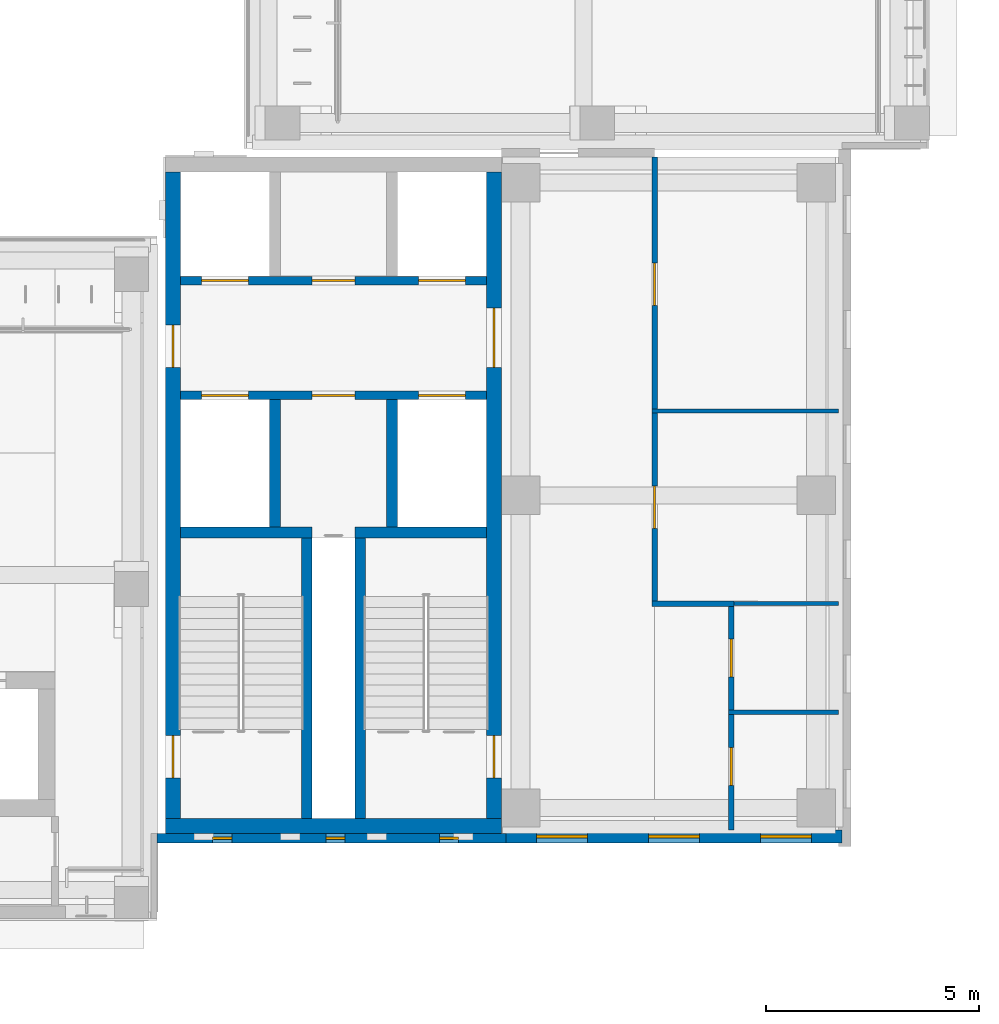
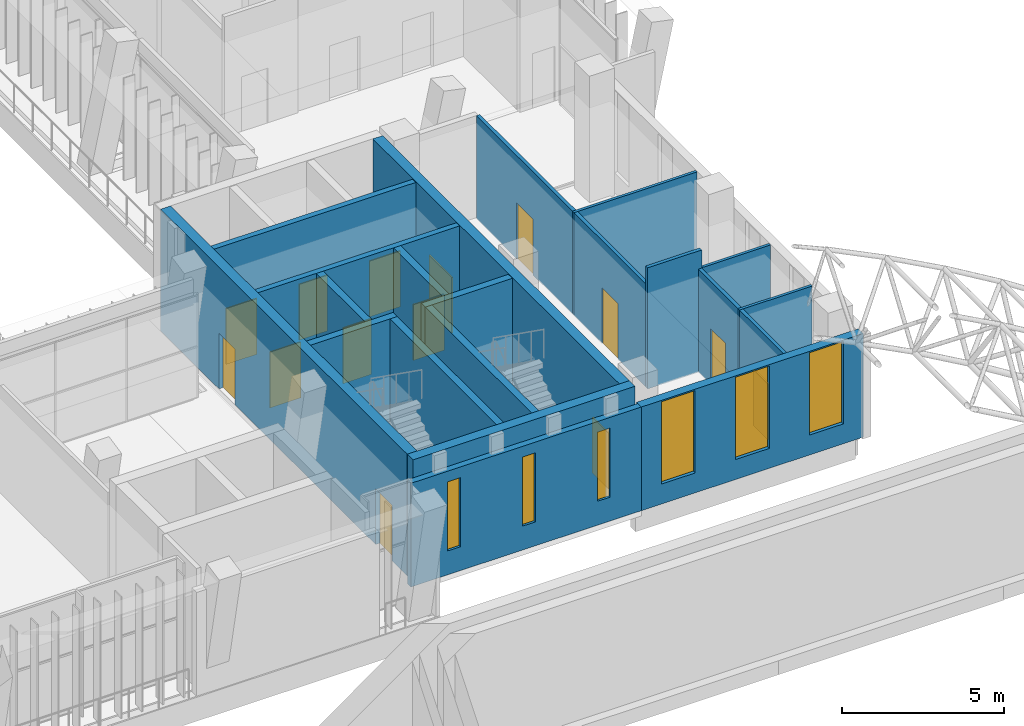
# One storey, part 107 of 141: 19 walls, 14 doors, 6 windows, 20 openings.
"""IFC4 building model written with IfcOpenShell, lengths in metres."""

from ifc_helpers import new_model, si_unit, direction, frame, frame_2d, origin, place, context, subcontext, project, spatial, rectangle, extrude, material, layer, layer_set, type_object, element, fill, save


model = new_model("IFC4")

# Units and contexts
model_context = context("Model", 3, precision=1e-05, world=origin(), true_north=direction((0.0, 1.0)))
body_context = subcontext(model_context, "Body", "Model", "MODEL_VIEW")
ifc_project = project(units=[si_unit("LENGTHUNIT", "METRE"), si_unit("AREAUNIT", "SQUARE_METRE"), si_unit("VOLUMEUNIT", "CUBIC_METRE"), si_unit("PLANEANGLEUNIT", "RADIAN"), si_unit("MASSUNIT", "GRAM", prefix="KILO")], contexts=[model_context])

# Site, building, storey
site_placement = place(None, origin())
site = spatial("IfcSite", under=ifc_project, at=site_placement, CompositionType="ELEMENT")
building_placement = place(site_placement, origin())
building = spatial("IfcBuilding", under=site, at=building_placement, Name="Lantern Court Media Centre", CompositionType="ELEMENT")
storey_placement = place(building_placement, frame((0.0, 0.0, 9.60009765625)))
storey = spatial("IfcBuildingStorey", under=building, at=storey_placement, Name="L02", CompositionType="ELEMENT", Elevation=9.60009765625)

# Wall, openings, doors
ifc_material_1 = material(Name="Gypsum board partition")
ifc_layer_1 = layer(ifc_material_1, 0.125)
ifc_layer_set_1 = layer_set([ifc_layer_1], Name="Gypsum board partition")
wall_type_1 = type_object("IfcWallType", Name="Corridor partition 125", PredefinedType="PARTITIONING", material=ifc_layer_set_1)
wall_1_placement = place(storey_placement, frame((91.60009765625, 53.466552734375, 0.0), z_axis=(0.0, 0.0, 1.0), x_axis=(0.0, 1.0, 0.0)))
wall_1 = element("IfcWall", 1, at=wall_1_placement, inside=storey, type_object=wall_type_1, Name="L02 partition 044", PredefinedType="PARTITIONING", context=body_context, shape_type="SweptSolid", body=[
    extrude(rectangle(XDim=10.433349609375, YDim=0.125, at=frame_2d((5.216796875, 0.0))), origin(), (0.0, 0.0, 1.0), 3.8798828125),
])
opening_1_placement = place(wall_1_placement, frame((1.701416015625, 0.0, 0.0)))
opening_1 = element("IfcOpeningElement", 2, at=opening_1_placement, cuts=wall_1, Name="Opening L02-035", PredefinedType="OPENING", context=body_context, shape_type="SweptSolid", body=[
    extrude(rectangle(XDim=1.0, YDim=2.10009765625, at=frame_2d((0.5, 1.050048828125))), frame((0.0, 0.072509765625, 0.0), z_axis=(0.0, -1.0, 0.0), x_axis=(1.0, 0.0, 0.0)), (0.0, 0.0, 1.0), 0.14501953125),
])
opening_2_placement = place(wall_1_placement, frame((6.949462890625, 0.0, 0.0)))
opening_2 = element("IfcOpeningElement", 3, at=opening_2_placement, cuts=wall_1, Name="Opening L02-036", PredefinedType="OPENING", context=body_context, shape_type="SweptSolid", body=[
    extrude(rectangle(XDim=1.0, YDim=2.10009765625, at=frame_2d((0.5, 1.050048828125))), frame((0.0, 0.072509765625, 0.0), z_axis=(0.0, -1.0, 0.0), x_axis=(1.0, 0.0, 0.0)), (0.0, 0.0, 1.0), 0.14501953125),
])
ifc_material_2 = material(Name="Solid-core timber door leaf", Category="wood")
door_type_1 = type_object("IfcDoorType", Name="Single door 1000x2100", OperationType="NOTDEFINED", PredefinedType="DOOR", material=ifc_material_2)
door_1_placement = place(opening_1_placement, frame((1.0, 0.0, 0.0), z_axis=(0.0, 0.0, 1.0), x_axis=(-1.0, 0.0, 0.0)))
door_1 = element("IfcDoor", 4, at=door_1_placement, inside=storey, type_object=door_type_1, Name="L02 Community Room 06 door", OperationType="SINGLE_SWING_RIGHT", OverallHeight=2.10009765625, OverallWidth=1.0, PredefinedType="DOOR", context=body_context, shape_type="SweptSolid", body=[
    extrude(rectangle(XDim=1.0, YDim=2.10009765625, at=frame_2d((0.5, 1.050048828125))), frame((0.0, 0.02490234375, 0.0), z_axis=(0.0, -1.0, 0.0), x_axis=(1.0, 0.0, 0.0)), (0.0, 0.0, 1.0), 0.050048828125),
])
fill(opening_1, door_1)
door_2_placement = place(opening_2_placement, frame((1.0, 0.0, 0.0), z_axis=(0.0, 0.0, 1.0), x_axis=(-1.0, 0.0, 0.0)))
door_2 = element("IfcDoor", 5, at=door_2_placement, inside=storey, type_object=door_type_1, Name="L02 Media Library Reading Room 07 door", OperationType="SINGLE_SWING_LEFT", OverallHeight=2.10009765625, OverallWidth=1.0, PredefinedType="DOOR", context=body_context, shape_type="SweptSolid", body=[
    extrude(rectangle(XDim=1.0, YDim=2.10009765625, at=frame_2d((0.5, 1.050048828125))), frame((0.0, 0.02490234375, 0.0), z_axis=(0.0, -1.0, 0.0), x_axis=(1.0, 0.0, 0.0)), (0.0, 0.0, 1.0), 0.050048828125),
])
fill(opening_2, door_2)

# Wall
wall_2_placement = place(storey_placement, frame((91.53759765625, 53.404052734375, 0.0), z_axis=(0.0, 0.0, 1.0), x_axis=(1.0, 0.0, 0.0)))
element("IfcWall", 6, at=wall_2_placement, inside=storey, type_object=wall_type_1, Name="L02 partition 046", PredefinedType="PARTITIONING", context=body_context, shape_type="SweptSolid", body=[
    extrude(rectangle(XDim=1.9248046875, YDim=0.125, at=frame_2d((0.96240234375, 0.0))), origin(), (0.0, 0.0, 1.0), 4.559814453125),
])

# Wall, openings, doors
wall_3_placement = place(storey_placement, frame((93.39990234375, 48.080078125, 0.0), z_axis=(0.0, 0.0, 1.0), x_axis=(0.0, 1.0, 0.0)))
wall_3 = element("IfcWall", 7, at=wall_3_placement, inside=storey, type_object=wall_type_1, Name="L02 partition 049", PredefinedType="PARTITIONING", context=body_context, shape_type="SweptSolid", body=[
    extrude(rectangle(XDim=5.261474609375, YDim=0.125, at=frame_2d((2.630859375, 0.0))), origin(), (0.0, 0.0, 1.0), 3.8798828125),
])
opening_3_placement = place(wall_3_placement, frame((1.0458984375, 0.0, 0.0)))
opening_3 = element("IfcOpeningElement", 8, at=opening_3_placement, cuts=wall_3, Name="Opening L02-037", PredefinedType="OPENING", context=body_context, shape_type="SweptSolid", body=[
    extrude(rectangle(XDim=0.89990234375, YDim=2.10009765625, at=frame_2d((0.449951171875, 1.050048828125))), frame((0.0, 0.072509765625, 0.0), z_axis=(0.0, -1.0, 0.0), x_axis=(1.0, 0.0, 0.0)), (0.0, 0.0, 1.0), 0.14501953125),
])
opening_4_placement = place(wall_3_placement, frame((3.597900390625, 0.0, 0.0)))
opening_4 = element("IfcOpeningElement", 9, at=opening_4_placement, cuts=wall_3, Name="Opening L02-038", PredefinedType="OPENING", context=body_context, shape_type="SweptSolid", body=[
    extrude(rectangle(XDim=0.89990234375, YDim=2.10009765625, at=frame_2d((0.449951171875, 1.050048828125))), frame((0.0, 0.072509765625, 0.0), z_axis=(0.0, -1.0, 0.0), x_axis=(1.0, 0.0, 0.0)), (0.0, 0.0, 1.0), 0.14501953125),
])
door_type_2 = type_object("IfcDoorType", Name="Single door 900x2100", OperationType="NOTDEFINED", PredefinedType="DOOR", material=ifc_material_2)
door_3_placement = place(opening_3_placement, frame((0.89990234375, 0.0, 0.0), z_axis=(0.0, 0.0, 1.0), x_axis=(-1.0, 0.0, 0.0)))
door_3 = element("IfcDoor", 10, at=door_3_placement, inside=storey, type_object=door_type_2, Name="L02 WC Male door", OperationType="SINGLE_SWING_RIGHT", OverallHeight=2.10009765625, OverallWidth=0.89990234375, PredefinedType="DOOR", context=body_context, shape_type="SweptSolid", body=[
    extrude(rectangle(XDim=0.89990234375, YDim=2.10009765625, at=frame_2d((0.449951171875, 1.050048828125))), frame((0.0, 0.02490234375, 0.0), z_axis=(0.0, -1.0, 0.0), x_axis=(1.0, 0.0, 0.0)), (0.0, 0.0, 1.0), 0.050048828125),
])
fill(opening_3, door_3)
door_4_placement = place(opening_4_placement, frame((0.89990234375, 0.0, 0.0), z_axis=(0.0, 0.0, 1.0), x_axis=(-1.0, 0.0, 0.0)))
door_4 = element("IfcDoor", 11, at=door_4_placement, inside=storey, type_object=door_type_2, Name="L02 WC Female door", OperationType="SINGLE_SWING_LEFT", OverallHeight=2.10009765625, OverallWidth=0.89990234375, PredefinedType="DOOR", context=body_context, shape_type="SweptSolid", body=[
    extrude(rectangle(XDim=0.89990234375, YDim=2.10009765625, at=frame_2d((0.449951171875, 1.050048828125))), frame((0.0, 0.02490234375, 0.0), z_axis=(0.0, -1.0, 0.0), x_axis=(1.0, 0.0, 0.0)), (0.0, 0.0, 1.0), 0.050048828125),
])
fill(opening_4, door_4)

ifc_material_3 = material(Name="Concrete C40", Category="concrete")
ifc_layer_2 = layer(ifc_material_3, 0.199951171875)
ifc_layer_set_2 = layer_set([ifc_layer_2], Name="Concrete C40")
wall_type_2 = type_object("IfcWallType", Name="Fire lobby wall 200", PredefinedType="SOLIDWALL", material=ifc_layer_set_2)
wall_4_placement = place(storey_placement, frame((87.64990234375, 58.300048828125, 0.0), z_axis=(0.0, 0.0, 1.0), x_axis=(-1.0, 0.0, 0.0)))
wall_4 = element("IfcWall", 12, at=wall_4_placement, inside=storey, type_object=wall_type_2, Name="L02 SE FW1", PredefinedType="SOLIDWALL", context=body_context, shape_type="SweptSolid", body=[
    extrude(rectangle(XDim=7.199951171875, YDim=0.199951171875, at=frame_2d((3.60009765625, 0.0))), origin(), (0.0, 0.0, 1.0), 4.5498046875),
])
opening_5_placement = place(wall_4_placement, frame((0.5, 0.0, 0.0)))
opening_5 = element("IfcOpeningElement", 13, at=opening_5_placement, cuts=wall_4, Name="Opening LD-SEFF-L02", PredefinedType="OPENING", context=body_context, shape_type="SweptSolid", body=[
    extrude(rectangle(XDim=1.10009765625, YDim=2.10009765625, at=frame_2d((0.550048828125, 1.050048828125))), frame((0.0, 0.10986328125, 0.0), z_axis=(0.0, -1.0, 0.0), x_axis=(1.0, 0.0, 0.0)), (0.0, 0.0, 1.0), 0.219970703125),
])
opening_6_placement = place(wall_4_placement, frame((5.60009765625, 0.0, 0.0)))
opening_6 = element("IfcOpeningElement", 14, at=opening_6_placement, cuts=wall_4, Name="Opening LD-SEP1-L02", PredefinedType="OPENING", context=body_context, shape_type="SweptSolid", body=[
    extrude(rectangle(XDim=1.10009765625, YDim=2.10009765625, at=frame_2d((0.550048828125, 1.050048828125))), frame((0.0, 0.10986328125, 0.0), z_axis=(0.0, -1.0, 0.0), x_axis=(1.0, 0.0, 0.0)), (0.0, 0.0, 1.0), 0.219970703125),
])
opening_7_placement = place(wall_4_placement, frame((3.10009765625, 0.0, 0.0)))
opening_7 = element("IfcOpeningElement", 15, at=opening_7_placement, cuts=wall_4, Name="Opening SE-L02-03", PredefinedType="OPENING", context=body_context, shape_type="SweptSolid", body=[
    extrude(rectangle(XDim=1.0, YDim=2.10009765625, at=frame_2d((0.5, 1.050048828125))), frame((0.0, 0.10986328125, 0.0), z_axis=(0.0, -1.0, 0.0), x_axis=(1.0, 0.0, 0.0)), (0.0, 0.0, 1.0), 0.219970703125),
])
ifc_material_4 = material(Name="Steel door leaf", Category="steel")
door_type_3 = type_object("IfcDoorType", Name="Lift landing door 1100x2100", OperationType="DOUBLE_DOOR_SLIDING", PredefinedType="DOOR", material=ifc_material_4)
door_5_placement = place(opening_5_placement, frame((1.10009765625, 0.0, 0.0), z_axis=(0.0, 0.0, 1.0), x_axis=(-1.0, 0.0, 0.0)))
door_5 = element("IfcDoor", 16, at=door_5_placement, inside=storey, type_object=door_type_3, Name="L02 SE lift FF landing door", OperationType="DOUBLE_DOOR_SLIDING", OverallHeight=2.10009765625, OverallWidth=1.10009765625, PredefinedType="DOOR", context=body_context, shape_type="SweptSolid", body=[
    extrude(rectangle(XDim=1.10009765625, YDim=2.10009765625, at=frame_2d((0.550048828125, 1.050048828125))), frame((0.0, 0.02490234375, 0.0), z_axis=(0.0, -1.0, 0.0), x_axis=(1.0, 0.0, 0.0)), (0.0, 0.0, 1.0), 0.050048828125),
])
fill(opening_5, door_5)
door_6_placement = place(opening_6_placement, frame((1.10009765625, 0.0, 0.0), z_axis=(0.0, 0.0, 1.0), x_axis=(-1.0, 0.0, 0.0)))
door_6 = element("IfcDoor", 17, at=door_6_placement, inside=storey, type_object=door_type_3, Name="L02 SE lift P1 landing door", OperationType="DOUBLE_DOOR_SLIDING", OverallHeight=2.10009765625, OverallWidth=1.10009765625, PredefinedType="DOOR", context=body_context, shape_type="SweptSolid", body=[
    extrude(rectangle(XDim=1.10009765625, YDim=2.10009765625, at=frame_2d((0.550048828125, 1.050048828125))), frame((0.0, 0.02490234375, 0.0), z_axis=(0.0, -1.0, 0.0), x_axis=(1.0, 0.0, 0.0)), (0.0, 0.0, 1.0), 0.050048828125),
])
fill(opening_6, door_6)
door_type_4 = type_object("IfcDoorType", Name="Service door 1000x2100", OperationType="NOTDEFINED", PredefinedType="DOOR", material=ifc_material_4)
door_7_placement = place(opening_7_placement, frame((1.0, 0.0, 0.0), z_axis=(0.0, 0.0, 1.0), x_axis=(-1.0, 0.0, 0.0)))
door_7 = element("IfcDoor", 18, at=door_7_placement, inside=storey, type_object=door_type_4, Name="L02 SE services riser door", OperationType="SINGLE_SWING_LEFT", OverallHeight=2.10009765625, OverallWidth=1.0, PredefinedType="DOOR", context=body_context, shape_type="SweptSolid", body=[
    extrude(rectangle(XDim=1.0, YDim=2.10009765625, at=frame_2d((0.5, 1.050048828125))), frame((0.0, 0.02490234375, 0.0), z_axis=(0.0, -1.0, 0.0), x_axis=(1.0, 0.0, 0.0)), (0.0, 0.0, 1.0), 0.050048828125),
])
fill(opening_7, door_7)

wall_5_placement = place(storey_placement, frame((87.64990234375, 61.0, 0.0), z_axis=(0.0, 0.0, 1.0), x_axis=(-1.0, 0.0, 0.0)))
wall_5 = element("IfcWall", 19, at=wall_5_placement, inside=storey, type_object=wall_type_2, Name="L02 SE FW2", PredefinedType="SOLIDWALL", context=body_context, shape_type="SweptSolid", body=[
    extrude(rectangle(XDim=7.199951171875, YDim=0.199951171875, at=frame_2d((3.60009765625, 0.0))), origin(), (0.0, 0.0, 1.0), 4.5498046875),
])
opening_8_placement = place(wall_5_placement, frame((0.5, 0.0, 0.0)))
opening_8 = element("IfcOpeningElement", 20, at=opening_8_placement, cuts=wall_5, Name="Opening LD-SEP2-L02", PredefinedType="OPENING", context=body_context, shape_type="SweptSolid", body=[
    extrude(rectangle(XDim=1.10009765625, YDim=2.10009765625, at=frame_2d((0.550048828125, 1.050048828125))), frame((0.0, 0.10986328125, 0.0), z_axis=(0.0, -1.0, 0.0), x_axis=(1.0, 0.0, 0.0)), (0.0, 0.0, 1.0), 0.219970703125),
])
opening_9_placement = place(wall_5_placement, frame((5.60009765625, 0.0, 0.0)))
opening_9 = element("IfcOpeningElement", 21, at=opening_9_placement, cuts=wall_5, Name="Opening LD-SEP3-L02", PredefinedType="OPENING", context=body_context, shape_type="SweptSolid", body=[
    extrude(rectangle(XDim=1.10009765625, YDim=2.10009765625, at=frame_2d((0.550048828125, 1.050048828125))), frame((0.0, 0.10986328125, 0.0), z_axis=(0.0, -1.0, 0.0), x_axis=(1.0, 0.0, 0.0)), (0.0, 0.0, 1.0), 0.219970703125),
])
opening_10_placement = place(wall_5_placement, frame((3.10009765625, 0.0, 0.0)))
opening_10 = element("IfcOpeningElement", 22, at=opening_10_placement, cuts=wall_5, Name="Opening SE-L02-04", PredefinedType="OPENING", context=body_context, shape_type="SweptSolid", body=[
    extrude(rectangle(XDim=1.0, YDim=2.10009765625, at=frame_2d((0.5, 1.050048828125))), frame((0.0, 0.10986328125, 0.0), z_axis=(0.0, -1.0, 0.0), x_axis=(1.0, 0.0, 0.0)), (0.0, 0.0, 1.0), 0.219970703125),
])
door_8_placement = place(opening_8_placement, origin())
door_8 = element("IfcDoor", 23, at=door_8_placement, inside=storey, type_object=door_type_3, Name="L02 SE lift P2 landing door", OperationType="DOUBLE_DOOR_SLIDING", OverallHeight=2.10009765625, OverallWidth=1.10009765625, PredefinedType="DOOR", context=body_context, shape_type="SweptSolid", body=[
    extrude(rectangle(XDim=1.10009765625, YDim=2.10009765625, at=frame_2d((0.550048828125, 1.050048828125))), frame((0.0, 0.02490234375, 0.0), z_axis=(0.0, -1.0, 0.0), x_axis=(1.0, 0.0, 0.0)), (0.0, 0.0, 1.0), 0.050048828125),
])
fill(opening_8, door_8)
door_9_placement = place(opening_9_placement, origin())
door_9 = element("IfcDoor", 24, at=door_9_placement, inside=storey, type_object=door_type_3, Name="L02 SE lift P3 landing door", OperationType="DOUBLE_DOOR_SLIDING", OverallHeight=2.10009765625, OverallWidth=1.10009765625, PredefinedType="DOOR", context=body_context, shape_type="SweptSolid", body=[
    extrude(rectangle(XDim=1.10009765625, YDim=2.10009765625, at=frame_2d((0.550048828125, 1.050048828125))), frame((0.0, 0.02490234375, 0.0), z_axis=(0.0, -1.0, 0.0), x_axis=(1.0, 0.0, 0.0)), (0.0, 0.0, 1.0), 0.050048828125),
])
fill(opening_9, door_9)
door_10_placement = place(opening_10_placement, origin())
door_10 = element("IfcDoor", 25, at=door_10_placement, inside=storey, type_object=door_type_4, Name="L02 SE accessible WC door", OperationType="SINGLE_SWING_RIGHT", OverallHeight=2.10009765625, OverallWidth=1.0, PredefinedType="DOOR", context=body_context, shape_type="SweptSolid", body=[
    extrude(rectangle(XDim=1.0, YDim=2.10009765625, at=frame_2d((0.5, 1.050048828125))), frame((0.0, 0.02490234375, 0.0), z_axis=(0.0, -1.0, 0.0), x_axis=(1.0, 0.0, 0.0)), (0.0, 0.0, 1.0), 0.050048828125),
])
fill(opening_10, door_10)

# Wall, openings, windows
ifc_material_5 = material(Name="Honed limestone cladding on blockwork", Category="masonry")
ifc_layer_3 = layer(ifc_material_5, 0.300048828125)
ifc_layer_set_3 = layer_set([ifc_layer_3], Name="Honed limestone cladding on blockwork")
wall_type_3 = type_object("IfcWallType", Name="Limestone block wall 300", PredefinedType="SOLIDWALL", material=ifc_layer_set_3)
wall_6_placement = place(storey_placement, frame((88.10009765625, 47.929931640625, 0.0), z_axis=(0.0, 0.0, 1.0), x_axis=(1.0, 0.0, 0.0)))
wall_6 = element("IfcWall", 26, at=wall_6_placement, inside=storey, type_object=wall_type_3, Name="Limestone wall SE S L02", PredefinedType="SOLIDWALL", context=body_context, shape_type="SweptSolid", body=[
    extrude(rectangle(XDim=7.89990234375, YDim=0.300048828125, at=frame_2d((3.949951171875, 0.0))), origin(), (0.0, 0.0, 1.0), 3.89990234375),
])
opening_11_placement = place(wall_6_placement, frame((0.716552734375, 0.0, 0.75)))
opening_11 = element("IfcOpeningElement", 27, at=opening_11_placement, cuts=wall_6, Name="Opening WN-T", PredefinedType="OPENING", context=body_context, shape_type="SweptSolid", body=[
    extrude(rectangle(XDim=1.199951171875, YDim=3.10009765625, at=frame_2d((0.60009765625, 1.550048828125))), frame((0.0, 0.159912109375, 0.0), z_axis=(0.0, -1.0, 0.0), x_axis=(1.0, 0.0, 0.0)), (0.0, 0.0, 1.0), 0.320068359375),
])
opening_12_placement = place(wall_6_placement, frame((3.35009765625, 0.0, 0.75)))
opening_12 = element("IfcOpeningElement", 28, at=opening_12_placement, cuts=wall_6, Name="Opening WN-T", PredefinedType="OPENING", context=body_context, shape_type="SweptSolid", body=[
    extrude(rectangle(XDim=1.199951171875, YDim=3.10009765625, at=frame_2d((0.60009765625, 1.550048828125))), frame((0.0, 0.159912109375, 0.0), z_axis=(0.0, -1.0, 0.0), x_axis=(1.0, 0.0, 0.0)), (0.0, 0.0, 1.0), 0.320068359375),
])
opening_13_placement = place(wall_6_placement, frame((5.9833984375, 0.0, 0.75)))
opening_13 = element("IfcOpeningElement", 29, at=opening_13_placement, cuts=wall_6, Name="Opening WN-T", PredefinedType="OPENING", context=body_context, shape_type="SweptSolid", body=[
    extrude(rectangle(XDim=1.199951171875, YDim=3.10009765625, at=frame_2d((0.60009765625, 1.550048828125))), frame((0.0, 0.159912109375, 0.0), z_axis=(0.0, -1.0, 0.0), x_axis=(1.0, 0.0, 0.0)), (0.0, 0.0, 1.0), 0.320068359375),
])
ifc_material_6 = material(Name="Anodised aluminium and glass", Category="aluminium")
window_type_1 = type_object("IfcWindowType", Name="Tall window 1200x3100", PartitioningType="SINGLE_PANEL", PredefinedType="WINDOW", material=ifc_material_6)
window_1_placement = place(opening_11_placement, origin())
window_1 = element("IfcWindow", 30, at=window_1_placement, inside=storey, type_object=window_type_1, Name="Window SE S L02", OverallHeight=3.10009765625, OverallWidth=1.199951171875, PartitioningType="SINGLE_PANEL", PredefinedType="WINDOW", context=body_context, shape_type="SweptSolid", body=[
    extrude(rectangle(XDim=1.199951171875, YDim=3.10009765625, at=frame_2d((0.60009765625, 1.550048828125))), frame((0.0, 0.030029296875, 0.0), z_axis=(0.0, -1.0, 0.0), x_axis=(1.0, 0.0, 0.0)), (0.0, 0.0, 1.0), 0.06005859375),
])
fill(opening_11, window_1)
window_2_placement = place(opening_12_placement, origin())
window_2 = element("IfcWindow", 31, at=window_2_placement, inside=storey, type_object=window_type_1, Name="Window SE S L02", OverallHeight=3.10009765625, OverallWidth=1.199951171875, PartitioningType="SINGLE_PANEL", PredefinedType="WINDOW", context=body_context, shape_type="SweptSolid", body=[
    extrude(rectangle(XDim=1.199951171875, YDim=3.10009765625, at=frame_2d((0.60009765625, 1.550048828125))), frame((0.0, 0.030029296875, 0.0), z_axis=(0.0, -1.0, 0.0), x_axis=(1.0, 0.0, 0.0)), (0.0, 0.0, 1.0), 0.06005859375),
])
fill(opening_12, window_2)
window_3_placement = place(opening_13_placement, origin())
window_3 = element("IfcWindow", 32, at=window_3_placement, inside=storey, type_object=window_type_1, Name="Window SE S L02", OverallHeight=3.10009765625, OverallWidth=1.199951171875, PartitioningType="SINGLE_PANEL", PredefinedType="WINDOW", context=body_context, shape_type="SweptSolid", body=[
    extrude(rectangle(XDim=1.199951171875, YDim=3.10009765625, at=frame_2d((0.60009765625, 1.550048828125))), frame((0.0, 0.030029296875, 0.0), z_axis=(0.0, -1.0, 0.0), x_axis=(1.0, 0.0, 0.0)), (0.0, 0.0, 1.0), 0.06005859375),
])
fill(opening_13, window_3)

ifc_material_7 = material(Name="Honed limestone cladding on blockwork, reduced to 220 where it passes the core wall", Category="masonry")
ifc_layer_4 = layer(ifc_material_7, 0.219970703125)
ifc_layer_set_4 = layer_set([ifc_layer_4], Name="Honed limestone cladding on blockwork, reduced to 220 where it passes the core wall")
wall_type_4 = type_object("IfcWallType", Name="Limestone skin wall 220", PredefinedType="SOLIDWALL", material=ifc_layer_set_4)
wall_7_placement = place(storey_placement, frame((79.89990234375, 47.889892578125, 0.0), z_axis=(0.0, 0.0, 1.0), x_axis=(1.0, 0.0, 0.0)))
wall_7 = element("IfcWall", 33, at=wall_7_placement, inside=storey, type_object=wall_type_4, Name="Limestone wall SE S L02", PredefinedType="SOLIDWALL", context=body_context, shape_type="SweptSolid", body=[
    extrude(rectangle(XDim=8.2001953125, YDim=0.219970703125, at=frame_2d((4.10009765625, 0.0))), origin(), (0.0, 0.0, 1.0), 3.89990234375),
])
opening_14_placement = place(wall_7_placement, frame((1.308349609375, 0.0, 0.89990234375)))
opening_14 = element("IfcOpeningElement", 34, at=opening_14_placement, cuts=wall_7, Name="Opening WN-S", PredefinedType="OPENING", context=body_context, shape_type="SweptSolid", body=[
    extrude(rectangle(XDim=0.449951171875, YDim=2.60009765625, at=frame_2d((0.22509765625, 1.300048828125))), frame((0.0, 0.119873046875, 0.0), z_axis=(0.0, -1.0, 0.0), x_axis=(1.0, 0.0, 0.0)), (0.0, 0.0, 1.0), 0.239990234375),
])
opening_15_placement = place(wall_7_placement, frame((3.97509765625, 0.0, 0.89990234375)))
opening_15 = element("IfcOpeningElement", 35, at=opening_15_placement, cuts=wall_7, Name="Opening WN-S", PredefinedType="OPENING", context=body_context, shape_type="SweptSolid", body=[
    extrude(rectangle(XDim=0.449951171875, YDim=2.60009765625, at=frame_2d((0.22509765625, 1.300048828125))), frame((0.0, 0.119873046875, 0.0), z_axis=(0.0, -1.0, 0.0), x_axis=(1.0, 0.0, 0.0)), (0.0, 0.0, 1.0), 0.239990234375),
])
opening_16_placement = place(wall_7_placement, frame((6.6416015625, 0.0, 0.89990234375)))
opening_16 = element("IfcOpeningElement", 36, at=opening_16_placement, cuts=wall_7, Name="Opening WN-S", PredefinedType="OPENING", context=body_context, shape_type="SweptSolid", body=[
    extrude(rectangle(XDim=0.449951171875, YDim=2.60009765625, at=frame_2d((0.22509765625, 1.300048828125))), frame((0.0, 0.119873046875, 0.0), z_axis=(0.0, -1.0, 0.0), x_axis=(1.0, 0.0, 0.0)), (0.0, 0.0, 1.0), 0.239990234375),
])
window_type_2 = type_object("IfcWindowType", Name="Stair slit window 450x2600", PartitioningType="SINGLE_PANEL", PredefinedType="WINDOW", material=ifc_material_6)
window_4_placement = place(opening_14_placement, origin())
window_4 = element("IfcWindow", 37, at=window_4_placement, inside=storey, type_object=window_type_2, Name="Window SE S L02", OverallHeight=2.60009765625, OverallWidth=0.449951171875, PartitioningType="SINGLE_PANEL", PredefinedType="WINDOW", context=body_context, shape_type="SweptSolid", body=[
    extrude(rectangle(XDim=0.449951171875, YDim=2.60009765625, at=frame_2d((0.22509765625, 1.300048828125))), frame((0.0, 0.030029296875, 0.0), z_axis=(0.0, -1.0, 0.0), x_axis=(1.0, 0.0, 0.0)), (0.0, 0.0, 1.0), 0.06005859375),
])
fill(opening_14, window_4)
window_5_placement = place(opening_15_placement, origin())
window_5 = element("IfcWindow", 38, at=window_5_placement, inside=storey, type_object=window_type_2, Name="Window SE S L02", OverallHeight=2.60009765625, OverallWidth=0.449951171875, PartitioningType="SINGLE_PANEL", PredefinedType="WINDOW", context=body_context, shape_type="SweptSolid", body=[
    extrude(rectangle(XDim=0.449951171875, YDim=2.60009765625, at=frame_2d((0.22509765625, 1.300048828125))), frame((0.0, 0.030029296875, 0.0), z_axis=(0.0, -1.0, 0.0), x_axis=(1.0, 0.0, 0.0)), (0.0, 0.0, 1.0), 0.06005859375),
])
fill(opening_15, window_5)
window_6_placement = place(opening_16_placement, origin())
window_6 = element("IfcWindow", 39, at=window_6_placement, inside=storey, type_object=window_type_2, Name="Window SE S L02", OverallHeight=2.60009765625, OverallWidth=0.449951171875, PartitioningType="SINGLE_PANEL", PredefinedType="WINDOW", context=body_context, shape_type="SweptSolid", body=[
    extrude(rectangle(XDim=0.449951171875, YDim=2.60009765625, at=frame_2d((0.22509765625, 1.300048828125))), frame((0.0, 0.030029296875, 0.0), z_axis=(0.0, -1.0, 0.0), x_axis=(1.0, 0.0, 0.0)), (0.0, 0.0, 1.0), 0.06005859375),
])
fill(opening_16, window_6)

# Walls
ifc_layer_5 = layer(ifc_material_1, 0.10009765625)
ifc_layer_set_5 = layer_set([ifc_layer_5], Name="Gypsum board partition")
wall_type_5 = type_object("IfcWallType", Name="Partition 100", PredefinedType="PARTITIONING", material=ifc_layer_set_5)
wall_8_placement = place(storey_placement, frame((93.33740234375, 53.404052734375, 0.0), z_axis=(0.0, 0.0, 1.0), x_axis=(1.0, 0.0, 0.0)))
element("IfcWall", 40, at=wall_8_placement, inside=storey, type_object=wall_type_5, Name="L02 partition 047", PredefinedType="PARTITIONING", context=body_context, shape_type="SweptSolid", body=[
    extrude(rectangle(XDim=2.58251953125, YDim=0.10009765625, at=frame_2d((1.291259765625, 0.0))), origin(), (0.0, 0.0, 1.0), 3.8798828125),
])
wall_9_placement = place(storey_placement, frame((91.53759765625, 57.931884765625, 0.0), z_axis=(0.0, 0.0, 1.0), x_axis=(1.0, 0.0, 0.0)))
element("IfcWall", 41, at=wall_9_placement, inside=storey, type_object=wall_type_5, Name="L02 partition 048", PredefinedType="PARTITIONING", context=body_context, shape_type="SweptSolid", body=[
    extrude(rectangle(XDim=4.38232421875, YDim=0.10009765625, at=frame_2d((2.191162109375, 0.0))), origin(), (0.0, 0.0, 1.0), 3.8798828125),
])
wall_10_placement = place(storey_placement, frame((93.33740234375, 50.85205078125, 0.0), z_axis=(0.0, 0.0, 1.0), x_axis=(1.0, 0.0, 0.0)))
element("IfcWall", 42, at=wall_10_placement, inside=storey, type_object=wall_type_5, Name="L02 partition 051", PredefinedType="PARTITIONING", context=body_context, shape_type="SweptSolid", body=[
    extrude(rectangle(XDim=2.58251953125, YDim=0.10009765625, at=frame_2d((1.291259765625, 0.0))), origin(), (0.0, 0.0, 1.0), 3.8798828125),
])
ifc_layer_6 = layer(ifc_material_3, 0.35009765625)
ifc_layer_set_6 = layer_set([ifc_layer_6], Name="Concrete C40")
wall_type_6 = type_object("IfcWallType", Name="RC CORE WALL 350", PredefinedType="SHEAR", material=ifc_layer_set_6)
wall_11_placement = place(storey_placement, frame((80.10009765625, 48.175048828125, 0.0), z_axis=(0.0, 0.0, 1.0), x_axis=(1.0, 0.0, 0.0)))
element("IfcWall", 43, at=wall_11_placement, inside=storey, type_object=wall_type_6, Name="WC-SE-L02-S", PredefinedType="SHEAR", context=body_context, shape_type="SweptSolid", body=[
    extrude(rectangle(XDim=7.89990234375, YDim=0.35009765625, at=frame_2d((3.949951171875, 0.0))), origin(), (0.0, 0.0, 1.0), 4.579833984375),
])

# Wall, openings, doors
wall_12_placement = place(storey_placement, frame((80.27490234375, 48.35009765625, 0.0), z_axis=(0.0, 0.0, 1.0), x_axis=(0.0, 1.0, 0.0)))
wall_12 = element("IfcWall", 44, at=wall_12_placement, inside=storey, type_object=wall_type_6, Name="WC-SE-L02-W", PredefinedType="SHEAR", context=body_context, shape_type="SweptSolid", body=[
    extrude(rectangle(XDim=15.199951171875, YDim=0.35009765625, at=frame_2d((7.60009765625, 0.0))), origin(), (0.0, 0.0, 1.0), 4.579833984375),
])
opening_17_placement = place(wall_12_placement, frame((0.949951171875, 0.0, 0.0)))
opening_17 = element("IfcOpeningElement", 45, at=opening_17_placement, cuts=wall_12, Name="Opening SE-L02-02", PredefinedType="OPENING", context=body_context, shape_type="SweptSolid", body=[
    extrude(rectangle(XDim=1.0, YDim=2.10009765625, at=frame_2d((0.5, 1.050048828125))), frame((0.0, 0.18505859375, 0.0), z_axis=(0.0, -1.0, 0.0), x_axis=(1.0, 0.0, 0.0)), (0.0, 0.0, 1.0), 0.3701171875),
])
opening_18_placement = place(wall_12_placement, frame((10.60009765625, 0.0, 0.0)))
opening_18 = element("IfcOpeningElement", 46, at=opening_18_placement, cuts=wall_12, Name="Opening SE-L02-06", PredefinedType="OPENING", context=body_context, shape_type="SweptSolid", body=[
    extrude(rectangle(XDim=1.0, YDim=2.10009765625, at=frame_2d((0.5, 1.050048828125))), frame((0.0, 0.18505859375, 0.0), z_axis=(0.0, -1.0, 0.0), x_axis=(1.0, 0.0, 0.0)), (0.0, 0.0, 1.0), 0.3701171875),
])
door_type_5 = type_object("IfcDoorType", Name="Lift lobby single door 1000x2100", OperationType="NOTDEFINED", PredefinedType="DOOR", material=ifc_material_4)
door_11_placement = place(opening_18_placement, origin())
door_11 = element("IfcDoor", 47, at=door_11_placement, inside=storey, type_object=door_type_5, Name="L02 SE lift lobby east door", OperationType="SINGLE_SWING_LEFT", OverallHeight=2.10009765625, OverallWidth=1.0, PredefinedType="DOOR", context=body_context, shape_type="SweptSolid", body=[
    extrude(rectangle(XDim=1.0, YDim=2.10009765625, at=frame_2d((0.5, 1.050048828125))), frame((0.0, 0.02490234375, 0.0), z_axis=(0.0, -1.0, 0.0), x_axis=(1.0, 0.0, 0.0)), (0.0, 0.0, 1.0), 0.050048828125),
])
fill(opening_18, door_11)
door_type_6 = type_object("IfcDoorType", Name="Stair door 1000x2100", OperationType="NOTDEFINED", PredefinedType="DOOR", material=ifc_material_4)
door_12_placement = place(opening_17_placement, origin())
door_12 = element("IfcDoor", 48, at=door_12_placement, inside=storey, type_object=door_type_6, Name="L02 SE stair B door", OperationType="SINGLE_SWING_LEFT", OverallHeight=2.10009765625, OverallWidth=1.0, PredefinedType="DOOR", context=body_context, shape_type="SweptSolid", body=[
    extrude(rectangle(XDim=1.0, YDim=2.10009765625, at=frame_2d((0.5, 1.050048828125))), frame((0.0, 0.02490234375, 0.0), z_axis=(0.0, -1.0, 0.0), x_axis=(1.0, 0.0, 0.0)), (0.0, 0.0, 1.0), 0.050048828125),
])
fill(opening_17, door_12)

wall_13_placement = place(storey_placement, frame((87.824951171875, 48.35009765625, 0.0), z_axis=(0.0, 0.0, 1.0), x_axis=(0.0, 1.0, 0.0)))
wall_13 = element("IfcWall", 49, at=wall_13_placement, inside=storey, type_object=wall_type_6, Name="WC-SE-L02-E", PredefinedType="SHEAR", context=body_context, shape_type="SweptSolid", body=[
    extrude(rectangle(XDim=15.199951171875, YDim=0.35009765625, at=frame_2d((7.60009765625, 0.0))), origin(), (0.0, 0.0, 1.0), 4.579833984375),
])
opening_19_placement = place(wall_13_placement, frame((0.949951171875, 0.0, 0.0)))
opening_19 = element("IfcOpeningElement", 50, at=opening_19_placement, cuts=wall_13, Name="Opening SE-L02-01", PredefinedType="OPENING", context=body_context, shape_type="SweptSolid", body=[
    extrude(rectangle(XDim=1.0, YDim=2.10009765625, at=frame_2d((0.5, 1.050048828125))), frame((0.0, 0.18505859375, 0.0), z_axis=(0.0, -1.0, 0.0), x_axis=(1.0, 0.0, 0.0)), (0.0, 0.0, 1.0), 0.3701171875),
])
opening_20_placement = place(wall_13_placement, frame((10.60009765625, 0.0, 0.0)))
opening_20 = element("IfcOpeningElement", 51, at=opening_20_placement, cuts=wall_13, Name="Opening SE-L02-05", PredefinedType="OPENING", context=body_context, shape_type="SweptSolid", body=[
    extrude(rectangle(XDim=1.39990234375, YDim=2.10009765625, at=frame_2d((0.699951171875, 1.050048828125))), frame((0.0, 0.18505859375, 0.0), z_axis=(0.0, -1.0, 0.0), x_axis=(1.0, 0.0, 0.0)), (0.0, 0.0, 1.0), 0.3701171875),
])
door_type_7 = type_object("IfcDoorType", Name="Lift lobby double door 1400x2100", OperationType="NOTDEFINED", PredefinedType="DOOR", material=ifc_material_4)
door_13_placement = place(opening_20_placement, frame((1.39990234375, 0.0, 0.0), z_axis=(0.0, 0.0, 1.0), x_axis=(-1.0, 0.0, 0.0)))
door_13 = element("IfcDoor", 52, at=door_13_placement, inside=storey, type_object=door_type_7, Name="L02 SE lift lobby west door", OperationType="SINGLE_SWING_LEFT", OverallHeight=2.10009765625, OverallWidth=1.39990234375, PredefinedType="DOOR", context=body_context, shape_type="SweptSolid", body=[
    extrude(rectangle(XDim=1.39990234375, YDim=2.10009765625, at=frame_2d((0.699951171875, 1.050048828125))), frame((0.0, 0.02490234375, 0.0), z_axis=(0.0, -1.0, 0.0), x_axis=(1.0, 0.0, 0.0)), (0.0, 0.0, 1.0), 0.050048828125),
])
fill(opening_20, door_13)
door_14_placement = place(opening_19_placement, frame((1.0, 0.0, 0.0), z_axis=(0.0, 0.0, 1.0), x_axis=(-1.0, 0.0, 0.0)))
door_14 = element("IfcDoor", 53, at=door_14_placement, inside=storey, type_object=door_type_6, Name="L02 SE stair A door", OperationType="SINGLE_SWING_LEFT", OverallHeight=2.10009765625, OverallWidth=1.0, PredefinedType="DOOR", context=body_context, shape_type="SweptSolid", body=[
    extrude(rectangle(XDim=1.0, YDim=2.10009765625, at=frame_2d((0.5, 1.050048828125))), frame((0.0, 0.02490234375, 0.0), z_axis=(0.0, -1.0, 0.0), x_axis=(1.0, 0.0, 0.0)), (0.0, 0.0, 1.0), 0.050048828125),
])
fill(opening_19, door_14)

# Walls
ifc_layer_7 = layer(ifc_material_3, 0.25)
ifc_layer_set_7 = layer_set([ifc_layer_7], Name="Concrete C40")
wall_type_7 = type_object("IfcWallType", Name="RC lift shaft wall 250", PredefinedType="SOLIDWALL", material=ifc_layer_set_7)
for number, where, z_axis, x_axis, name in (
    (54, (85.425048828125, 55.199951171875, 0.0), (0.0, 0.0, 1.0), (0.0, 1.0, 0.0), "L02 SE L1a"),
    (55, (82.675048828125, 55.199951171875, 0.0), (0.0, 0.0, 1.0), (0.0, 1.0, 0.0), "L02 SE L2a"),
):
    element("IfcWall", number, at=place(storey_placement, frame(where, z_axis=z_axis, x_axis=x_axis)), inside=storey, type_object=wall_type_7, Name=name, PredefinedType="SOLIDWALL", context=body_context, shape_type="SweptSolid", body=[
        extrude(rectangle(XDim=3.0, YDim=0.25, at=frame_2d((1.5, 0.0))), origin(), (0.0, 0.0, 1.0), 4.5498046875),
    ])
ifc_layer_8 = layer(ifc_material_3, 0.25)
ifc_layer_set_8 = layer_set([ifc_layer_8], Name="Concrete C40")
wall_type_8 = type_object("IfcWallType", Name="RC stair shaft wall 250", PredefinedType="SOLIDWALL", material=ifc_layer_set_8)
for number, where, z_axis, x_axis, name in (
    (56, (84.675048828125, 48.35009765625, 0.0), (0.0, 0.0, 1.0), (0.0, 1.0, 0.0), "L02 SE SA"),
    (57, (83.425048828125, 48.35009765625, 0.0), (0.0, 0.0, 1.0), (0.0, 1.0, 0.0), "L02 SE SB"),
):
    element("IfcWall", number, at=place(storey_placement, frame(where, z_axis=z_axis, x_axis=x_axis)), inside=storey, type_object=wall_type_8, Name=name, PredefinedType="SOLIDWALL", context=body_context, shape_type="SweptSolid", body=[
        extrude(rectangle(XDim=6.599853515625, YDim=0.25, at=frame_2d((3.2998046875, 0.0))), origin(), (0.0, 0.0, 1.0), 4.5498046875),
    ])
wall_14_placement = place(storey_placement, frame((87.64990234375, 55.074951171875, 0.0), z_axis=(0.0, 0.0, 1.0), x_axis=(-1.0, 0.0, 0.0)))
element("IfcWall", 58, at=wall_14_placement, inside=storey, type_object=wall_type_8, Name="L02 SE SN1", PredefinedType="SOLIDWALL", context=body_context, shape_type="SweptSolid", body=[
    extrude(rectangle(XDim=3.099853515625, YDim=0.25, at=frame_2d((1.5498046875, 0.0))), origin(), (0.0, 0.0, 1.0), 4.5498046875),
])
wall_15_placement = place(storey_placement, frame((83.550048828125, 55.074951171875, 0.0), z_axis=(0.0, 0.0, 1.0), x_axis=(-1.0, 0.0, 0.0)))
element("IfcWall", 59, at=wall_15_placement, inside=storey, type_object=wall_type_8, Name="L02 SE SN2", PredefinedType="SOLIDWALL", context=body_context, shape_type="SweptSolid", body=[
    extrude(rectangle(XDim=3.10009765625, YDim=0.25, at=frame_2d((1.550048828125, 0.0))), origin(), (0.0, 0.0, 1.0), 4.5498046875),
])

save(model, "model.ifc")
